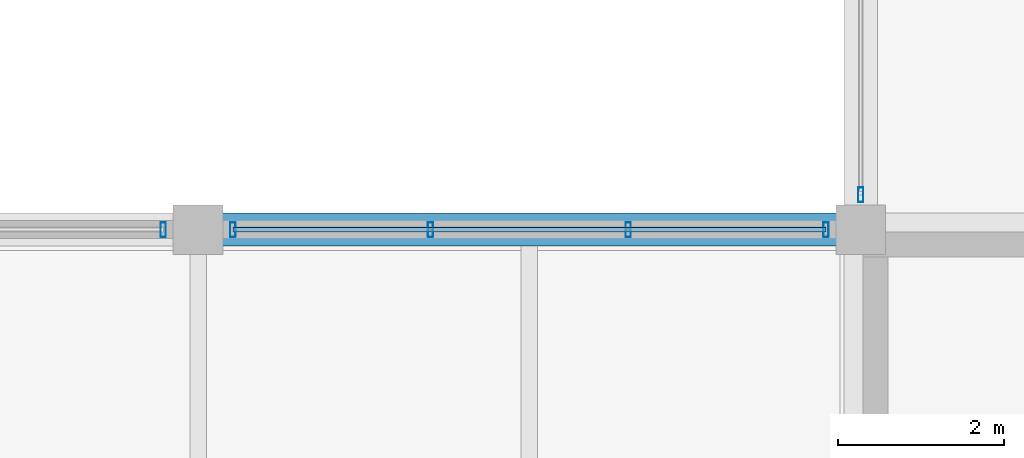
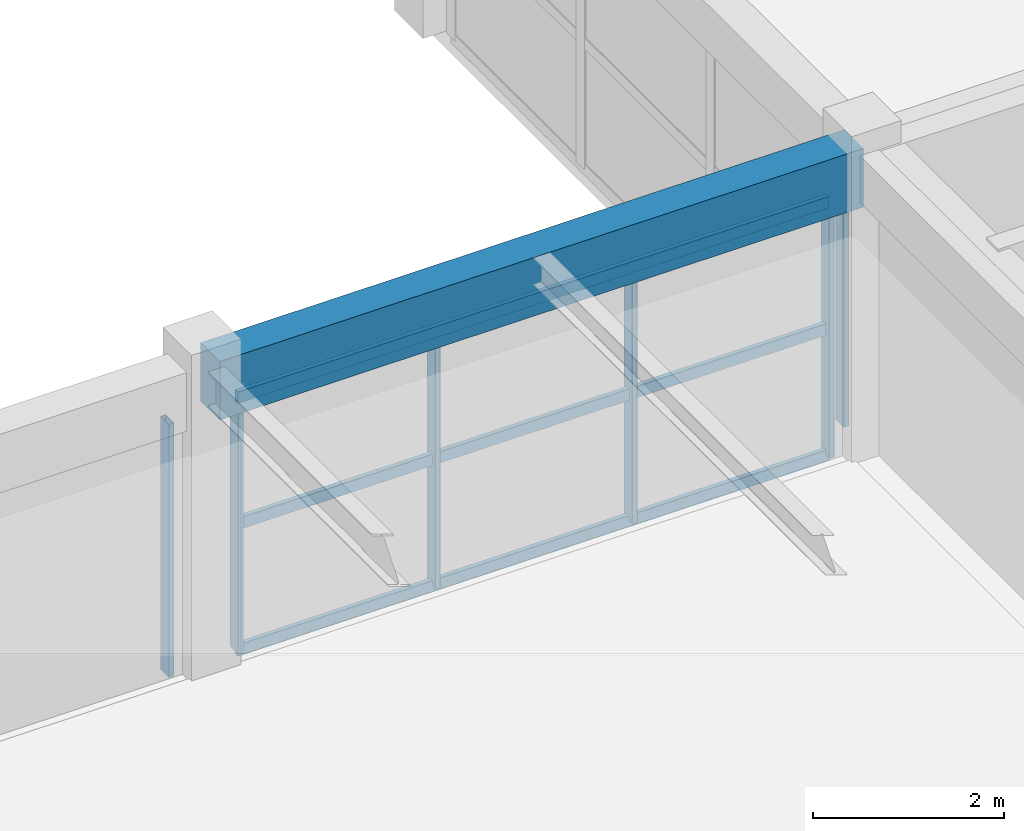
# One storey, part 23 of 126: 9 members, 1 beam, 3 elements without a shape of their own.
"""IFC4 building model written with IfcOpenShell, lengths in metres."""

from ifc_helpers import new_model, si_unit, direction, frame, origin, origin_2d, place, context, subcontext, project, spatial, rectangle, hollow_rectangle, extrude, material, material_profile, profile_set, type_object, element, aggregate, save


model = new_model("IFC4")

# Units and contexts
model_context = context("Model", 3, precision=1e-05, world=origin(), true_north=direction((0.0, 1.0)))
body_context = subcontext(model_context, "Body", "Model", "MODEL_VIEW")
ifc_project = project(units=[si_unit("LENGTHUNIT", "METRE"), si_unit("AREAUNIT", "SQUARE_METRE"), si_unit("VOLUMEUNIT", "CUBIC_METRE"), si_unit("PLANEANGLEUNIT", "RADIAN"), si_unit("MASSUNIT", "GRAM", prefix="KILO")], contexts=[model_context])

# Site, building, storey
site_placement = place(None, origin())
site = spatial("IfcSite", under=ifc_project, at=site_placement, CompositionType="ELEMENT")
building_placement = place(site_placement, origin())
building = spatial("IfcBuilding", under=site, at=building_placement, Name="Varnabhumi Central Station", CompositionType="ELEMENT")
storey_placement = place(building_placement, frame((0.0, 0.0, 16.199951171875)))
storey = spatial("IfcBuildingStorey", under=building, at=storey_placement, Name="L03", CompositionType="ELEMENT", Elevation=16.199951171875)

# Beam
ifc_material_1 = material(Name="Concrete M40", Category="concrete")
ifc_material_profile_1 = material_profile(ifc_material_1, rectangle(XDim=0.39990234375, YDim=0.75, at=origin_2d()), Name="Concrete M40", Category="concrete")
ifc_profile_set_1 = profile_set([ifc_material_profile_1], Name="Concrete M40")
beam_type = type_object("IfcBeamType", Name="BM-RC-400x750", PredefinedType="BEAM", material=ifc_profile_set_1)
beam_placement = place(storey_placement, frame((136.10009765625, 9.0, 3.545166015625), z_axis=(1.0, 0.0, 0.0), x_axis=(0.0, 1.0, 0.0)))
element("IfcBeam", 1, at=beam_placement, inside=storey, type_object=beam_type, Name="Beam L03-B:18-19", PredefinedType="BEAM", context=body_context, shape_type="SweptSolid", body=[
    extrude(rectangle(XDim=0.39990234375, YDim=0.75, at=origin_2d()), origin(), (0.0, 0.0, 1.0), 7.7998046875),
])

# Curtain wall, member
ifc_material_2 = material(Name="Anodised aluminium 6063-T6", Category="aluminium")
curtain_wall_type = type_object("IfcCurtainWallType", Name="CW-PATIO-LOGGIA-L3", PredefinedType="NOTDEFINED", material=ifc_material_2)
curtain_wall_1_placement = place(storey_placement, origin())
curtain_wall_1 = element("IfcCurtainWall", 2, at=curtain_wall_1_placement, inside=storey, type_object=curtain_wall_type, Name="Curtain Wall CW-SP3W1", PredefinedType="NOTDEFINED")
ifc_material_profile_2 = material_profile(ifc_material_2, hollow_rectangle(XDim=0.06494140625, YDim=0.179931640625, WallThickness=0.00390625, InnerFilletRadius=0.001953125, OuterFilletRadius=0.006103515625, at=origin_2d()), Name="Anodised aluminium 6063-T6", Category="aluminium")
ifc_profile_set_2 = profile_set([ifc_material_profile_2], Name="Anodised aluminium 6063-T6")
member_type_1 = type_object("IfcMemberType", Name="CW-MUL-180", PredefinedType="MULLION", material=ifc_profile_set_2)
member_1_placement = place(storey_placement, frame((144.0, 9.419921875, 0.0), z_axis=(0.0, 0.0, 1.0), x_axis=(1.0, 0.0, 0.0)))
member_1 = element("IfcMember", 3, at=member_1_placement, type_object=member_type_1, Name="Curtain Wall Mullion CW-SP3W1-M1", PredefinedType="MULLION", context=body_context, shape_type="SweptSolid", body=[
    extrude(hollow_rectangle(XDim=0.06494140625, YDim=0.179931640625, WallThickness=0.00390625, InnerFilletRadius=0.001953125, OuterFilletRadius=0.006103515625, at=origin_2d()), origin(), (0.0, 0.0, 1.0), 3.239990234375),
])
aggregate(curtain_wall_1, [member_1])

curtain_wall_2_placement = place(storey_placement, origin())
curtain_wall_2 = element("IfcCurtainWall", 4, at=curtain_wall_2_placement, inside=storey, type_object=curtain_wall_type, Name="Curtain Wall CW-SP3S3", PredefinedType="NOTDEFINED")
member_2_placement = place(storey_placement, frame((135.580078125, 9.0, 0.0), z_axis=(0.0, 0.0, 1.0), x_axis=(1.0, 0.0, 0.0)))
member_2 = element("IfcMember", 5, at=member_2_placement, type_object=member_type_1, Name="Curtain Wall Mullion CW-SP3S3-M4", PredefinedType="MULLION", context=body_context, shape_type="SweptSolid", body=[
    extrude(hollow_rectangle(XDim=0.06494140625, YDim=0.179931640625, WallThickness=0.00390625, InnerFilletRadius=0.001953125, OuterFilletRadius=0.006103515625, at=origin_2d()), origin(), (0.0, 0.0, 1.0), 3.239990234375),
])
aggregate(curtain_wall_2, [member_2])

# Curtain wall, members
curtain_wall_3_placement = place(storey_placement, origin())
curtain_wall_3 = element("IfcCurtainWall", 6, at=curtain_wall_3_placement, inside=storey, type_object=curtain_wall_type, Name="Curtain Wall CW-SP3S4", PredefinedType="NOTDEFINED")
member_3_placement = place(storey_placement, frame((136.419921875, 9.0, 0.0), z_axis=(0.0, 0.0, 1.0), x_axis=(1.0, 0.0, 0.0)))
member_3 = element("IfcMember", 7, at=member_3_placement, type_object=member_type_1, Name="Curtain Wall Mullion CW-SP3S4-M1", PredefinedType="MULLION", context=body_context, shape_type="SweptSolid", body=[
    extrude(hollow_rectangle(XDim=0.06494140625, YDim=0.179931640625, WallThickness=0.00390625, InnerFilletRadius=0.001953125, OuterFilletRadius=0.006103515625, at=origin_2d()), origin(), (0.0, 0.0, 1.0), 3.239990234375),
])
member_4_placement = place(storey_placement, frame((138.806640625, 9.0, 0.0), z_axis=(0.0, 0.0, 1.0), x_axis=(1.0, 0.0, 0.0)))
member_4 = element("IfcMember", 8, at=member_4_placement, type_object=member_type_1, Name="Curtain Wall Mullion CW-SP3S4-M2", PredefinedType="MULLION", context=body_context, shape_type="SweptSolid", body=[
    extrude(hollow_rectangle(XDim=0.06494140625, YDim=0.179931640625, WallThickness=0.00390625, InnerFilletRadius=0.001953125, OuterFilletRadius=0.006103515625, at=origin_2d()), origin(), (0.0, 0.0, 1.0), 3.239990234375),
])
member_5_placement = place(storey_placement, frame((141.193359375, 9.0, 0.0), z_axis=(0.0, 0.0, 1.0), x_axis=(1.0, 0.0, 0.0)))
member_5 = element("IfcMember", 9, at=member_5_placement, type_object=member_type_1, Name="Curtain Wall Mullion CW-SP3S4-M3", PredefinedType="MULLION", context=body_context, shape_type="SweptSolid", body=[
    extrude(hollow_rectangle(XDim=0.06494140625, YDim=0.179931640625, WallThickness=0.00390625, InnerFilletRadius=0.001953125, OuterFilletRadius=0.006103515625, at=origin_2d()), origin(), (0.0, 0.0, 1.0), 3.239990234375),
])
member_6_placement = place(storey_placement, frame((143.580078125, 9.0, 0.0), z_axis=(0.0, 0.0, 1.0), x_axis=(1.0, 0.0, 0.0)))
member_6 = element("IfcMember", 10, at=member_6_placement, type_object=member_type_1, Name="Curtain Wall Mullion CW-SP3S4-M4", PredefinedType="MULLION", context=body_context, shape_type="SweptSolid", body=[
    extrude(hollow_rectangle(XDim=0.06494140625, YDim=0.179931640625, WallThickness=0.00390625, InnerFilletRadius=0.001953125, OuterFilletRadius=0.006103515625, at=origin_2d()), origin(), (0.0, 0.0, 1.0), 3.239990234375),
])
ifc_material_profile_3 = material_profile(ifc_material_2, hollow_rectangle(XDim=0.06005859375, YDim=0.14990234375, WallThickness=0.00390625, InnerFilletRadius=0.001953125, OuterFilletRadius=0.006103515625, at=origin_2d()), Name="Anodised aluminium 6063-T6", Category="aluminium")
ifc_profile_set_3 = profile_set([ifc_material_profile_3], Name="Anodised aluminium 6063-T6")
member_type_2 = type_object("IfcMemberType", Name="CW-TR-150", PredefinedType="USERDEFINED", material=ifc_profile_set_3)
member_7_placement = place(storey_placement, frame((136.419921875, 9.0, 0.0), z_axis=(1.0, 0.0, 0.0), x_axis=(0.0, 1.0, 0.0)))
member_7 = element("IfcMember", 11, at=member_7_placement, type_object=member_type_2, Name="Curtain Wall Transom CW-SP3S4-T1", ObjectType="TRANSOM", PredefinedType="USERDEFINED", context=body_context, shape_type="SweptSolid", body=[
    extrude(hollow_rectangle(XDim=0.06005859375, YDim=0.14990234375, WallThickness=0.00390625, InnerFilletRadius=0.001953125, OuterFilletRadius=0.006103515625, at=origin_2d()), origin(), (0.0, 0.0, 1.0), 7.16015625),
])
member_8_placement = place(storey_placement, frame((136.419921875, 9.0, 1.6201171875), z_axis=(1.0, 0.0, 0.0), x_axis=(0.0, 1.0, 0.0)))
member_8 = element("IfcMember", 12, at=member_8_placement, type_object=member_type_2, Name="Curtain Wall Transom CW-SP3S4-T2", ObjectType="TRANSOM", PredefinedType="USERDEFINED", context=body_context, shape_type="SweptSolid", body=[
    extrude(hollow_rectangle(XDim=0.06005859375, YDim=0.14990234375, WallThickness=0.00390625, InnerFilletRadius=0.001953125, OuterFilletRadius=0.006103515625, at=origin_2d()), origin(), (0.0, 0.0, 1.0), 7.16015625),
])
member_9_placement = place(storey_placement, frame((136.419921875, 9.0, 3.239990234375), z_axis=(1.0, 0.0, 0.0), x_axis=(0.0, 1.0, 0.0)))
member_9 = element("IfcMember", 13, at=member_9_placement, type_object=member_type_2, Name="Curtain Wall Transom CW-SP3S4-T3", ObjectType="TRANSOM", PredefinedType="USERDEFINED", context=body_context, shape_type="SweptSolid", body=[
    extrude(hollow_rectangle(XDim=0.06005859375, YDim=0.14990234375, WallThickness=0.00390625, InnerFilletRadius=0.001953125, OuterFilletRadius=0.006103515625, at=origin_2d()), origin(), (0.0, 0.0, 1.0), 7.16015625),
])
aggregate(curtain_wall_3, [member_3, member_4, member_5, member_6, member_7, member_8, member_9])

save(model, "model.ifc")
